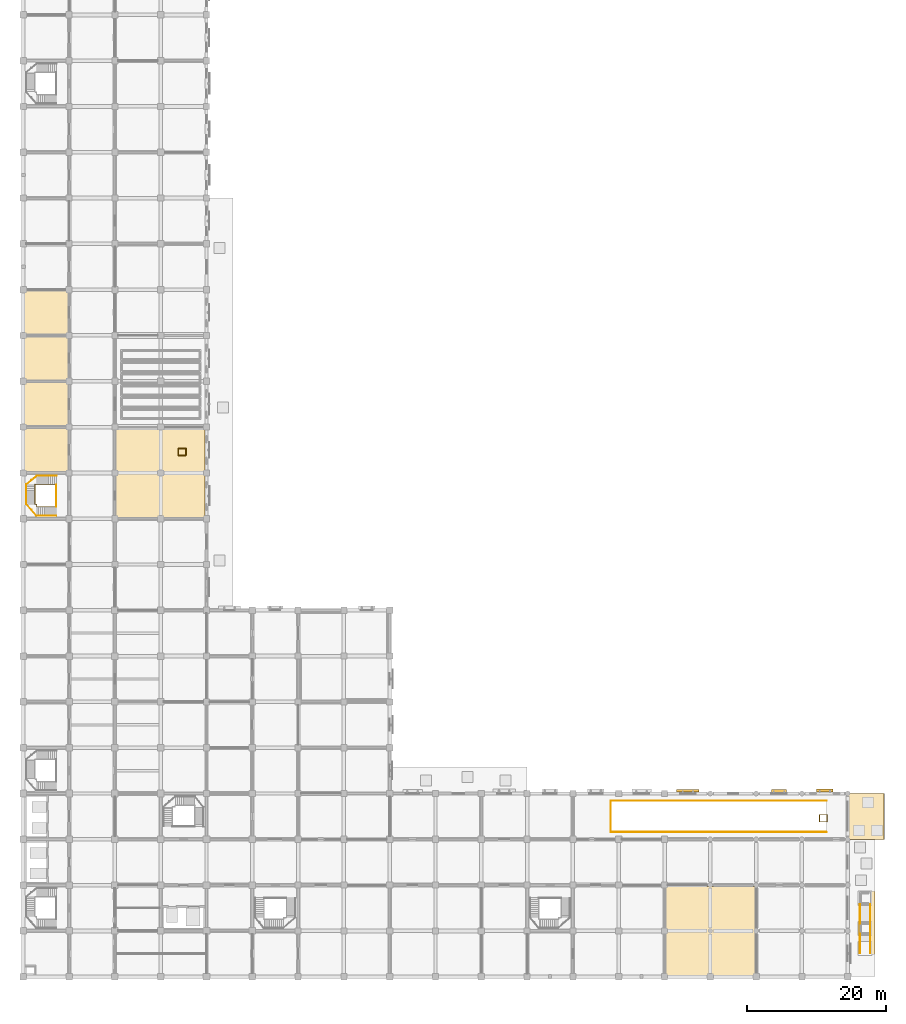
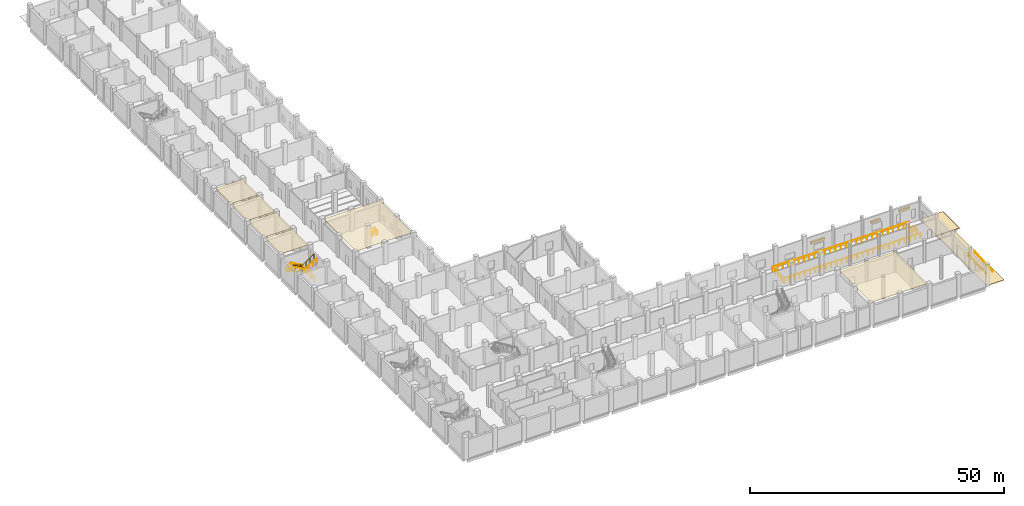
# One storey, part 26 of 28: 8 coverings, 8 railings, 3 shading devices.
"""IFC4 building model written with IfcOpenShell, lengths in metres."""

from ifc_helpers import new_model, si_unit, direction, frame, origin, origin_2d, place, context, subcontext, project, spatial, polyline, rectangle, circle, outline, extrude, material, layer, layer_set, type_object, element, save


model = new_model("IFC4")

# Units and contexts
model_context = context("Model", 3, precision=1e-05, world=origin(), true_north=direction((0.0, 1.0)))
body_context = subcontext(model_context, "Body", "Model", "MODEL_VIEW")
ifc_project = project(units=[si_unit("LENGTHUNIT", "METRE"), si_unit("AREAUNIT", "SQUARE_METRE"), si_unit("VOLUMEUNIT", "CUBIC_METRE"), si_unit("PLANEANGLEUNIT", "RADIAN"), si_unit("MASSUNIT", "GRAM", prefix="KILO")], contexts=[model_context])

# Site, building, storey
site_placement = place(None, origin())
site = spatial("IfcSite", under=ifc_project, at=site_placement, CompositionType="ELEMENT")
building_placement = place(site_placement, origin())
building = spatial("IfcBuilding", under=site, at=building_placement, Name="Rusizi Kubbe Research Institute", CompositionType="ELEMENT")
storey_placement = place(building_placement, origin())
storey = spatial("IfcBuildingStorey", under=building, at=storey_placement, Name="L00", CompositionType="ELEMENT", Elevation=0.0)

# Coverings
ifc_material_1 = material(Name="Mineral-Fibre Acoustic Laboratory Ceiling", Category="masonry")
ifc_layer_1 = layer(ifc_material_1, 0.0400390625)
ifc_layer_set_1 = layer_set([ifc_layer_1], Name="Mineral-Fibre Acoustic Laboratory Ceiling")
covering_type_1 = type_object("IfcCoveringType", Name="CL-ACOUSTIC", PredefinedType="CEILING", material=ifc_layer_set_1)
covering_1_placement = place(storey_placement, frame((0.0, 0.0, 5.010009765625)))
element("IfcCovering", 1, at=covering_1_placement, inside=storey, type_object=covering_type_1, Name="Write-up Office Ceiling L00-NW-05", PredefinedType="CEILING", context=body_context, shape_type="SweptSolid", body=[
    extrude(outline(polyline([(13.389892578125, 66.18994140625), (26.2099609375, 66.18994140625), (26.2099609375, 79.010009765625), (13.389892578125, 79.010009765625), (13.389892578125, 66.18994140625)])), origin(), (0.0, 0.0, 1.0), 0.0400390625),
])
covering_2_placement = place(storey_placement, frame((0.0, 0.0, 5.010009765625)))
element("IfcCovering", 2, at=covering_2_placement, inside=storey, type_object=covering_type_1, Name="Catalysis Wet Laboratory Ceiling L00-EWS-05", PredefinedType="CEILING", context=body_context, shape_type="SweptSolid", body=[
    extrude(outline(polyline([(92.590087890625, 0.18994140625), (105.409912109375, 0.18994140625), (105.409912109375, 13.010009765625), (92.590087890625, 13.010009765625), (92.590087890625, 0.18994140625)])), origin(), (0.0, 0.0, 1.0), 0.0400390625),
])
ifc_material_2 = material(Name="Flush Cleanroom Aluminium HEPA Ceiling Grid", Category="aluminium")
ifc_layer_2 = layer(ifc_material_2, 0.044921875)
ifc_layer_set_2 = layer_set([ifc_layer_2], Name="Flush Cleanroom Aluminium HEPA Ceiling Grid")
covering_type_2 = type_object("IfcCoveringType", Name="CL-HEPA", PredefinedType="CEILING", material=ifc_layer_set_2)
covering_3_placement = place(storey_placement, frame((0.0, 0.0, 5.0048828125)))
element("IfcCovering", 3, at=covering_3_placement, inside=storey, type_object=covering_type_2, Name="Clean Room Gowning Airlock Ceiling L00-ALK-11", PredefinedType="CEILING", context=body_context, shape_type="SweptSolid", body=[
    extrude(outline(polyline([(0.18994140625, 72.7900390625), (6.409912109375, 72.7900390625), (6.409912109375, 79.010009765625), (0.18994140625, 79.010009765625), (0.18994140625, 72.7900390625)])), origin(), (0.0, 0.0, 1.0), 0.045166015625),
])
covering_4_placement = place(storey_placement, frame((0.0, 0.0, 5.0048828125)))
element("IfcCovering", 4, at=covering_4_placement, inside=storey, type_object=covering_type_2, Name="ISO-6 Clean Room Suite Ceiling L00-CR-12", PredefinedType="CEILING", context=body_context, shape_type="SweptSolid", body=[
    extrude(outline(polyline([(0.18994140625, 79.389892578125), (6.409912109375, 79.389892578125), (6.409912109375, 85.610107421875), (0.18994140625, 85.610107421875), (0.18994140625, 79.389892578125)])), origin(), (0.0, 0.0, 1.0), 0.045166015625),
])
covering_5_placement = place(storey_placement, frame((0.0, 0.0, 5.0048828125)))
element("IfcCovering", 5, at=covering_5_placement, inside=storey, type_object=covering_type_2, Name="Clean Room Gowning Airlock Ceiling L00-ALK-13", PredefinedType="CEILING", context=body_context, shape_type="SweptSolid", body=[
    extrude(outline(polyline([(0.18994140625, 85.989990234375), (6.409912109375, 85.989990234375), (6.409912109375, 92.2099609375), (0.18994140625, 92.2099609375), (0.18994140625, 85.989990234375)])), origin(), (0.0, 0.0, 1.0), 0.045166015625),
])
covering_6_placement = place(storey_placement, frame((0.0, 0.0, 5.0048828125)))
element("IfcCovering", 6, at=covering_6_placement, inside=storey, type_object=covering_type_2, Name="ISO-6 Clean Room Suite Ceiling L00-CR-14", PredefinedType="CEILING", context=body_context, shape_type="SweptSolid", body=[
    extrude(outline(polyline([(0.18994140625, 92.590087890625), (6.409912109375, 92.590087890625), (6.409912109375, 98.81005859375), (0.18994140625, 98.81005859375), (0.18994140625, 92.590087890625)])), origin(), (0.0, 0.0, 1.0), 0.045166015625),
])
ifc_material_3 = material(Name="Rwandan Basalt Cobble Paving", Category="masonry")
ifc_layer_3 = layer(ifc_material_3, 0.02001953125)
ifc_layer_set_3 = layer_set([ifc_layer_3], Name="Rwandan Basalt Cobble Paving")
covering_type_3 = type_object("IfcCoveringType", Name="COV-PAVING", PredefinedType="FLOORING", material=ifc_layer_set_3)
covering_7_placement = place(storey_placement, origin())
element("IfcCovering", 7, at=covering_7_placement, inside=storey, type_object=covering_type_3, Name="Site Forecourt Access Paving EAST-STREET", PredefinedType="FLOORING", context=body_context, shape_type="SweptSolid", body=[
    extrude(outline(polyline([(118.800048828125, 19.800048828125), (122.699951171875, 19.800048828125), (122.699951171875, 0.0), (118.800048828125, 0.0), (118.800048828125, 19.800048828125)])), origin(), (0.0, 0.0, 1.0), 0.02001953125),
])
covering_8_placement = place(storey_placement, origin())
element("IfcCovering", 8, at=covering_8_placement, inside=storey, type_object=covering_type_3, Name="Site Forecourt Access Paving VEH-DRIVEWAY", PredefinedType="FLOORING", context=body_context, shape_type="SweptSolid", body=[
    extrude(outline(polyline([(118.800048828125, 19.800048828125), (118.800048828125, 26.39990234375), (124.0, 26.39990234375), (124.0, 19.800048828125), (118.800048828125, 19.800048828125)])), origin(), (0.0, 0.0, 1.0), 0.02001953125),
])

# Railings
ifc_material_4 = material(Name="Painted Steel Stair Guard", Category="steel")
railing_type_1 = type_object("IfcRailingType", Name="GR-STAIR", PredefinedType="GUARDRAIL", material=ifc_material_4)
railing_1_placement = place(storey_placement, frame((4.780029296875, 70.889892578125, 0.081787109375)))
element("IfcRailing", 9, at=railing_1_placement, inside=storey, type_object=railing_type_1, Name="Stair Inner Well Guard ST5 L00", PredefinedType="GUARDRAIL", context=body_context, shape_type="SweptSolid", body=[
    extrude(circle(Radius=0.02392578125, at=origin_2d()), frame((0.0, 0.0, 1.09619140625), z_axis=(-0.855598663518, 0.0, 0.517639765653), x_axis=(0.0, -1.0, 0.0)), (0.0, 0.0, 1.0), 3.3193359375),
    extrude(circle(Radius=0.02392578125, at=origin_2d()), frame((-2.840087890625, 0.0, 2.814453125), z_axis=(-1.0, 0.0, 0.0), x_axis=(0.0, -1.0, 0.0)), (0.0, 0.0, 1.0), 0.22998046875),
    extrude(circle(Radius=0.02392578125, at=origin_2d()), frame((-3.070068359375, 0.0, 2.814453125), z_axis=(0.0, 0.439690925609, 0.898149146822), x_axis=(-1.0, 0.0, 0.0)), (0.0, 0.0, 1.0), 0.091064453125),
    extrude(circle(Radius=0.02392578125, at=origin_2d()), frame((-3.070068359375, 0.0400390625, 2.89599609375), z_axis=(0.0, -0.85231595241, 0.523027262452), x_axis=(1.0, 0.0, 0.0)), (0.0, 0.0, 1.0), 3.28515625),
    extrude(circle(Radius=0.02392578125, at=origin_2d()), frame((-3.070068359375, -2.760009765625, 4.6142578125), z_axis=(0.0, -1.0, 0.0), x_axis=(1.0, 0.0, 0.0)), (0.0, 0.0, 1.0), 0.039794921875),
    extrude(circle(Radius=0.02392578125, at=origin_2d()), frame((-3.070068359375, -2.7998046875, 4.6142578125), z_axis=(1.0, 0.0, 0.0), x_axis=(0.0, 1.0, 0.0)), (0.0, 0.0, 1.0), 0.22998046875),
    extrude(circle(Radius=0.02392578125, at=origin_2d()), frame((-2.840087890625, -2.7998046875, 4.6142578125), z_axis=(0.0, -1.0, 0.0), x_axis=(1.0, 0.0, 0.0)), (0.0, 0.0, 1.0), 0.380126953125),
    extrude(circle(Radius=0.02392578125, at=origin_2d()), frame((-2.840087890625, -3.179931640625, 4.6142578125), z_axis=(0.837638602289, 0.0, 0.546224836451), x_axis=(0.0, 1.0, 0.0)), (0.0, 0.0, 1.0), 3.294921875),
    extrude(circle(Radius=0.02099609375, at=origin_2d()), origin(), (0.0, 0.0, 1.0), 1.072021484375),
    extrude(circle(Radius=0.02099609375, at=origin_2d()), frame((-0.94677734375, 0.0, 0.57275390625)), (0.0, 0.0, 1.0), 1.072021484375),
    extrude(circle(Radius=0.02099609375, at=origin_2d()), frame((-1.893310546875, 0.0, 1.1455078125)), (0.0, 0.0, 1.0), 1.072021484375),
    extrude(circle(Radius=0.02099609375, at=origin_2d()), frame((-2.840087890625, 0.0, 1.71826171875)), (0.0, 0.0, 1.0), 1.072021484375),
    extrude(circle(Radius=0.02099609375, at=origin_2d()), frame((-3.070068359375, 0.0, 1.71826171875)), (0.0, 0.0, 1.0), 1.072021484375),
    extrude(circle(Radius=0.02099609375, at=origin_2d()), frame((-3.070068359375, 0.0400390625, 1.800048828125)), (0.0, 0.0, 1.0), 1.072021484375),
    extrude(circle(Radius=0.02099609375, at=origin_2d()), frame((-3.070068359375, -0.893310546875, 2.372802734375)), (0.0, 0.0, 1.0), 1.072021484375),
    extrude(circle(Radius=0.02099609375, at=origin_2d()), frame((-3.070068359375, -1.82666015625, 2.945556640625)), (0.0, 0.0, 1.0), 1.072021484375),
    extrude(circle(Radius=0.02099609375, at=origin_2d()), frame((-3.070068359375, -2.760009765625, 3.518310546875)), (0.0, 0.0, 1.0), 1.072021484375),
    extrude(circle(Radius=0.02099609375, at=origin_2d()), frame((-3.070068359375, -2.7998046875, 3.518310546875)), (0.0, 0.0, 1.0), 1.072021484375),
    extrude(circle(Radius=0.02099609375, at=origin_2d()), frame((-2.840087890625, -2.7998046875, 3.518310546875)), (0.0, 0.0, 1.0), 1.072021484375),
    extrude(circle(Radius=0.02099609375, at=origin_2d()), frame((-2.840087890625, -3.179931640625, 3.518310546875)), (0.0, 0.0, 1.0), 1.072021484375),
    extrude(circle(Radius=0.02099609375, at=origin_2d()), frame((-1.920166015625, -3.179931640625, 4.1181640625)), (0.0, 0.0, 1.0), 1.072021484375),
    extrude(circle(Radius=0.02099609375, at=origin_2d()), frame((-1.0, -3.179931640625, 4.71826171875)), (0.0, 0.0, 1.0), 1.072021484375),
    extrude(circle(Radius=0.02099609375, at=origin_2d()), frame((-0.080078125, -3.179931640625, 5.318115234375)), (0.0, 0.0, 1.0), 1.072021484375),
])
railing_2_placement = place(storey_placement, frame((4.75, 70.889892578125, 0.0)))
element("IfcRailing", 10, at=railing_2_placement, inside=storey, type_object=railing_type_1, Name="Stair Floor Edge Guard ST5 L00", PredefinedType="GUARDRAIL", context=body_context, shape_type="SweptSolid", body=[
    extrude(circle(Radius=0.02392578125, at=origin_2d()), frame((0.0, 0.0, 1.09619140625), z_axis=(0.0, -1.0, 0.0), x_axis=(1.0, 0.0, 0.0)), (0.0, 0.0, 1.0), 3.179931640625),
    extrude(circle(Radius=0.02099609375, at=origin_2d()), origin(), (0.0, 0.0, 1.0), 1.072021484375),
    extrude(circle(Radius=0.02099609375, at=origin_2d()), frame((0.0, -1.06005859375, 0.0)), (0.0, 0.0, 1.0), 1.072021484375),
    extrude(circle(Radius=0.02099609375, at=origin_2d()), frame((0.0, -2.119873046875, 0.0)), (0.0, 0.0, 1.0), 1.072021484375),
    extrude(circle(Radius=0.02099609375, at=origin_2d()), frame((0.0, -3.179931640625, 0.0)), (0.0, 0.0, 1.0), 1.072021484375),
])
railing_3_placement = place(storey_placement, frame((22.320068359375, 75.1201171875, 0.0)))
element("IfcRailing", 11, at=railing_3_placement, inside=storey, type_object=railing_type_1, Name="Service Riser Guard L00 NORTHA", PredefinedType="GUARDRAIL", context=body_context, shape_type="SweptSolid", body=[
    extrude(circle(Radius=0.02392578125, at=origin_2d()), frame((0.0, 0.0, 1.09619140625), z_axis=(1.0, 0.0, 0.0), x_axis=(0.0, 1.0, 0.0)), (0.0, 0.0, 1.0), 1.10986328125),
    extrude(circle(Radius=0.02392578125, at=origin_2d()), frame((1.10986328125, 0.0, 1.09619140625), z_axis=(0.0, 1.0, 0.0), x_axis=(-1.0, 0.0, 0.0)), (0.0, 0.0, 1.0), 1.009765625),
    extrude(circle(Radius=0.02392578125, at=origin_2d()), frame((1.10986328125, 1.009765625, 1.09619140625), z_axis=(-1.0, 0.0, 0.0), x_axis=(0.0, -1.0, 0.0)), (0.0, 0.0, 1.0), 1.10986328125),
    extrude(circle(Radius=0.02392578125, at=origin_2d()), frame((0.0, 1.009765625, 1.09619140625), z_axis=(0.0, -1.0, 0.0), x_axis=(1.0, 0.0, 0.0)), (0.0, 0.0, 1.0), 1.009765625),
    extrude(circle(Radius=0.02099609375, at=origin_2d()), origin(), (0.0, 0.0, 1.0), 1.072021484375),
    extrude(circle(Radius=0.02099609375, at=origin_2d()), frame((1.10986328125, 0.0, 0.0)), (0.0, 0.0, 1.0), 1.072021484375),
    extrude(circle(Radius=0.02099609375, at=origin_2d()), frame((1.10986328125, 1.009765625, 0.0)), (0.0, 0.0, 1.0), 1.072021484375),
    extrude(circle(Radius=0.02099609375, at=origin_2d()), frame((0.0, 1.009765625, 0.0)), (0.0, 0.0, 1.0), 1.072021484375),
])
railing_4_placement = place(storey_placement, frame((114.719970703125, 22.320068359375, 0.0)))
element("IfcRailing", 12, at=railing_4_placement, inside=storey, type_object=railing_type_1, Name="Service Riser Guard L00 EAST", PredefinedType="GUARDRAIL", context=body_context, shape_type="SweptSolid", body=[
    extrude(circle(Radius=0.02392578125, at=origin_2d()), frame((0.0, 0.0, 1.09619140625), z_axis=(1.0, 0.0, 0.0), x_axis=(0.0, 1.0, 0.0)), (0.0, 0.0, 1.0), 1.110107421875),
    extrude(circle(Radius=0.02392578125, at=origin_2d()), frame((1.110107421875, 0.0, 1.09619140625), z_axis=(0.0, 1.0, 0.0), x_axis=(-1.0, 0.0, 0.0)), (0.0, 0.0, 1.0), 1.010009765625),
    extrude(circle(Radius=0.02392578125, at=origin_2d()), frame((1.110107421875, 1.010009765625, 1.09619140625), z_axis=(-1.0, 0.0, 0.0), x_axis=(0.0, -1.0, 0.0)), (0.0, 0.0, 1.0), 1.110107421875),
    extrude(circle(Radius=0.02392578125, at=origin_2d()), frame((0.0, 1.010009765625, 1.09619140625), z_axis=(0.0, -1.0, 0.0), x_axis=(1.0, 0.0, 0.0)), (0.0, 0.0, 1.0), 1.010009765625),
    extrude(circle(Radius=0.02099609375, at=origin_2d()), origin(), (0.0, 0.0, 1.0), 1.072021484375),
    extrude(circle(Radius=0.02099609375, at=origin_2d()), frame((1.110107421875, 0.0, 0.0)), (0.0, 0.0, 1.0), 1.072021484375),
    extrude(circle(Radius=0.02099609375, at=origin_2d()), frame((1.110107421875, 1.010009765625, 0.0)), (0.0, 0.0, 1.0), 1.072021484375),
    extrude(circle(Radius=0.02099609375, at=origin_2d()), frame((0.0, 1.010009765625, 0.0)), (0.0, 0.0, 1.0), 1.072021484375),
])
ifc_material_5 = material(Name="Tempered Glass and Bronze Atrium Balustrade", Category="steel")
railing_type_2 = type_object("IfcRailingType", Name="GR-VOID", PredefinedType="BALUSTRADE", material=ifc_material_5)
railing_5_placement = place(storey_placement, frame((115.719970703125, 20.840087890625, 0.0)))
element("IfcRailing", 13, at=railing_5_placement, inside=storey, type_object=railing_type_2, Name="Basement Vehicle Ramp Well Guard L00", PredefinedType="BALUSTRADE", context=body_context, shape_type="SweptSolid", body=[
    extrude(circle(Radius=0.02392578125, at=origin_2d()), frame((0.0, 0.0, 1.09619140625), z_axis=(-1.0, 0.0, 0.0), x_axis=(0.0, -1.0, 0.0)), (0.0, 0.0, 1.0), 31.080078125),
    extrude(circle(Radius=0.02392578125, at=origin_2d()), frame((-31.080078125, 0.0, 1.09619140625), z_axis=(0.0, 1.0, 0.0), x_axis=(-1.0, 0.0, 0.0)), (0.0, 0.0, 1.0), 4.52001953125),
    extrude(circle(Radius=0.02392578125, at=origin_2d()), frame((-31.080078125, 4.52001953125, 1.09619140625), z_axis=(1.0, 0.0, 0.0), x_axis=(0.0, 1.0, 0.0)), (0.0, 0.0, 1.0), 31.080078125),
    extrude(circle(Radius=0.02099609375, at=origin_2d()), origin(), (0.0, 0.0, 1.0), 1.072021484375),
    extrude(circle(Radius=0.02099609375, at=origin_2d()), frame((-1.1953125, 0.0, 0.0)), (0.0, 0.0, 1.0), 1.072021484375),
    extrude(circle(Radius=0.02099609375, at=origin_2d()), frame((-2.390869140625, 0.0, 0.0)), (0.0, 0.0, 1.0), 1.072021484375),
    extrude(circle(Radius=0.02099609375, at=origin_2d()), frame((-3.586181640625, 0.0, 0.0)), (0.0, 0.0, 1.0), 1.072021484375),
    extrude(circle(Radius=0.02099609375, at=origin_2d()), frame((-4.781494140625, 0.0, 0.0)), (0.0, 0.0, 1.0), 1.072021484375),
    extrude(circle(Radius=0.02099609375, at=origin_2d()), frame((-5.97705078125, 0.0, 0.0)), (0.0, 0.0, 1.0), 1.072021484375),
    extrude(circle(Radius=0.02099609375, at=origin_2d()), frame((-7.17236328125, 0.0, 0.0)), (0.0, 0.0, 1.0), 1.072021484375),
    extrude(circle(Radius=0.02099609375, at=origin_2d()), frame((-8.36767578125, 0.0, 0.0)), (0.0, 0.0, 1.0), 1.072021484375),
    extrude(circle(Radius=0.02099609375, at=origin_2d()), frame((-9.56298828125, 0.0, 0.0)), (0.0, 0.0, 1.0), 1.072021484375),
    extrude(circle(Radius=0.02099609375, at=origin_2d()), frame((-10.758544921875, 0.0, 0.0)), (0.0, 0.0, 1.0), 1.072021484375),
    extrude(circle(Radius=0.02099609375, at=origin_2d()), frame((-11.953857421875, 0.0, 0.0)), (0.0, 0.0, 1.0), 1.072021484375),
    extrude(circle(Radius=0.02099609375, at=origin_2d()), frame((-13.149169921875, 0.0, 0.0)), (0.0, 0.0, 1.0), 1.072021484375),
    extrude(circle(Radius=0.02099609375, at=origin_2d()), frame((-14.3447265625, 0.0, 0.0)), (0.0, 0.0, 1.0), 1.072021484375),
    extrude(circle(Radius=0.02099609375, at=origin_2d()), frame((-15.5400390625, 0.0, 0.0)), (0.0, 0.0, 1.0), 1.072021484375),
    extrude(circle(Radius=0.02099609375, at=origin_2d()), frame((-16.7353515625, 0.0, 0.0)), (0.0, 0.0, 1.0), 1.072021484375),
    extrude(circle(Radius=0.02099609375, at=origin_2d()), frame((-17.930908203125, 0.0, 0.0)), (0.0, 0.0, 1.0), 1.072021484375),
    extrude(circle(Radius=0.02099609375, at=origin_2d()), frame((-19.126220703125, 0.0, 0.0)), (0.0, 0.0, 1.0), 1.072021484375),
    extrude(circle(Radius=0.02099609375, at=origin_2d()), frame((-20.321533203125, 0.0, 0.0)), (0.0, 0.0, 1.0), 1.072021484375),
    extrude(circle(Radius=0.02099609375, at=origin_2d()), frame((-21.51708984375, 0.0, 0.0)), (0.0, 0.0, 1.0), 1.072021484375),
    extrude(circle(Radius=0.02099609375, at=origin_2d()), frame((-22.71240234375, 0.0, 0.0)), (0.0, 0.0, 1.0), 1.072021484375),
    extrude(circle(Radius=0.02099609375, at=origin_2d()), frame((-23.90771484375, 0.0, 0.0)), (0.0, 0.0, 1.0), 1.072021484375),
    extrude(circle(Radius=0.02099609375, at=origin_2d()), frame((-25.10302734375, 0.0, 0.0)), (0.0, 0.0, 1.0), 1.072021484375),
    extrude(circle(Radius=0.02099609375, at=origin_2d()), frame((-26.298583984375, 0.0, 0.0)), (0.0, 0.0, 1.0), 1.072021484375),
    extrude(circle(Radius=0.02099609375, at=origin_2d()), frame((-27.493896484375, 0.0, 0.0)), (0.0, 0.0, 1.0), 1.072021484375),
    extrude(circle(Radius=0.02099609375, at=origin_2d()), frame((-28.689208984375, 0.0, 0.0)), (0.0, 0.0, 1.0), 1.072021484375),
    extrude(circle(Radius=0.02099609375, at=origin_2d()), frame((-29.884765625, 0.0, 0.0)), (0.0, 0.0, 1.0), 1.072021484375),
    extrude(circle(Radius=0.02099609375, at=origin_2d()), frame((-31.080078125, 0.0, 0.0)), (0.0, 0.0, 1.0), 1.072021484375),
    extrude(circle(Radius=0.02099609375, at=origin_2d()), frame((-31.080078125, 1.1298828125, 0.0)), (0.0, 0.0, 1.0), 1.072021484375),
    extrude(circle(Radius=0.02099609375, at=origin_2d()), frame((-31.080078125, 2.260009765625, 0.0)), (0.0, 0.0, 1.0), 1.072021484375),
    extrude(circle(Radius=0.02099609375, at=origin_2d()), frame((-31.080078125, 3.39013671875, 0.0)), (0.0, 0.0, 1.0), 1.072021484375),
    extrude(circle(Radius=0.02099609375, at=origin_2d()), frame((-31.080078125, 4.52001953125, 0.0)), (0.0, 0.0, 1.0), 1.072021484375),
    extrude(circle(Radius=0.02099609375, at=origin_2d()), frame((-29.884765625, 4.52001953125, 0.0)), (0.0, 0.0, 1.0), 1.072021484375),
    extrude(circle(Radius=0.02099609375, at=origin_2d()), frame((-28.689208984375, 4.52001953125, 0.0)), (0.0, 0.0, 1.0), 1.072021484375),
    extrude(circle(Radius=0.02099609375, at=origin_2d()), frame((-27.493896484375, 4.52001953125, 0.0)), (0.0, 0.0, 1.0), 1.072021484375),
    extrude(circle(Radius=0.02099609375, at=origin_2d()), frame((-26.298583984375, 4.52001953125, 0.0)), (0.0, 0.0, 1.0), 1.072021484375),
    extrude(circle(Radius=0.02099609375, at=origin_2d()), frame((-25.10302734375, 4.52001953125, 0.0)), (0.0, 0.0, 1.0), 1.072021484375),
    extrude(circle(Radius=0.02099609375, at=origin_2d()), frame((-23.90771484375, 4.52001953125, 0.0)), (0.0, 0.0, 1.0), 1.072021484375),
    extrude(circle(Radius=0.02099609375, at=origin_2d()), frame((-22.71240234375, 4.52001953125, 0.0)), (0.0, 0.0, 1.0), 1.072021484375),
    extrude(circle(Radius=0.02099609375, at=origin_2d()), frame((-21.51708984375, 4.52001953125, 0.0)), (0.0, 0.0, 1.0), 1.072021484375),
    extrude(circle(Radius=0.02099609375, at=origin_2d()), frame((-20.321533203125, 4.52001953125, 0.0)), (0.0, 0.0, 1.0), 1.072021484375),
    extrude(circle(Radius=0.02099609375, at=origin_2d()), frame((-19.126220703125, 4.52001953125, 0.0)), (0.0, 0.0, 1.0), 1.072021484375),
    extrude(circle(Radius=0.02099609375, at=origin_2d()), frame((-17.930908203125, 4.52001953125, 0.0)), (0.0, 0.0, 1.0), 1.072021484375),
    extrude(circle(Radius=0.02099609375, at=origin_2d()), frame((-16.7353515625, 4.52001953125, 0.0)), (0.0, 0.0, 1.0), 1.072021484375),
    extrude(circle(Radius=0.02099609375, at=origin_2d()), frame((-15.5400390625, 4.52001953125, 0.0)), (0.0, 0.0, 1.0), 1.072021484375),
    extrude(circle(Radius=0.02099609375, at=origin_2d()), frame((-14.3447265625, 4.52001953125, 0.0)), (0.0, 0.0, 1.0), 1.072021484375),
    extrude(circle(Radius=0.02099609375, at=origin_2d()), frame((-13.149169921875, 4.52001953125, 0.0)), (0.0, 0.0, 1.0), 1.072021484375),
    extrude(circle(Radius=0.02099609375, at=origin_2d()), frame((-11.953857421875, 4.52001953125, 0.0)), (0.0, 0.0, 1.0), 1.072021484375),
    extrude(circle(Radius=0.02099609375, at=origin_2d()), frame((-10.758544921875, 4.52001953125, 0.0)), (0.0, 0.0, 1.0), 1.072021484375),
    extrude(circle(Radius=0.02099609375, at=origin_2d()), frame((-9.56298828125, 4.52001953125, 0.0)), (0.0, 0.0, 1.0), 1.072021484375),
    extrude(circle(Radius=0.02099609375, at=origin_2d()), frame((-8.36767578125, 4.52001953125, 0.0)), (0.0, 0.0, 1.0), 1.072021484375),
    extrude(circle(Radius=0.02099609375, at=origin_2d()), frame((-7.17236328125, 4.52001953125, 0.0)), (0.0, 0.0, 1.0), 1.072021484375),
    extrude(circle(Radius=0.02099609375, at=origin_2d()), frame((-5.97705078125, 4.52001953125, 0.0)), (0.0, 0.0, 1.0), 1.072021484375),
    extrude(circle(Radius=0.02099609375, at=origin_2d()), frame((-4.781494140625, 4.52001953125, 0.0)), (0.0, 0.0, 1.0), 1.072021484375),
    extrude(circle(Radius=0.02099609375, at=origin_2d()), frame((-3.586181640625, 4.52001953125, 0.0)), (0.0, 0.0, 1.0), 1.072021484375),
    extrude(circle(Radius=0.02099609375, at=origin_2d()), frame((-2.390869140625, 4.52001953125, 0.0)), (0.0, 0.0, 1.0), 1.072021484375),
    extrude(circle(Radius=0.02099609375, at=origin_2d()), frame((-1.1953125, 4.52001953125, 0.0)), (0.0, 0.0, 1.0), 1.072021484375),
    extrude(circle(Radius=0.02099609375, at=origin_2d()), frame((0.0, 4.52001953125, 0.0)), (0.0, 0.0, 1.0), 1.072021484375),
])
ifc_material_6 = material(Name="Brushed Stainless Steel Handrail", Category="steel")
railing_type_3 = type_object("IfcRailingType", Name="HR-RAMP", PredefinedType="HANDRAIL", material=ifc_material_6)
for number, where, name in (
    (14, (120.56005859375, 3.39990234375, -0.419921875), "Ramp Handrail RAMP-EAST-01-A"),
    (15, (122.0400390625, 3.39990234375, -0.419921875), "Ramp Handrail RAMP-EAST-01-B"),
):
    element("IfcRailing", number, at=place(storey_placement, frame(where)), inside=storey, type_object=railing_type_3, Name=name, PredefinedType="HANDRAIL", context=body_context, shape_type="SweptSolid", body=[
        extrude(circle(Radius=0.02392578125, at=origin_2d()), frame((0.0, 0.0, 0.8759765625), z_axis=(0.0, 0.998205511447, 0.05988119), x_axis=(-1.0, 0.0, 0.0)), (0.0, 0.0, 1.0), 7.0126953125),
        extrude(circle(Radius=0.02099609375, at=origin_2d()), origin(), (0.0, 0.0, 1.0), 0.851806640625),
        extrude(circle(Radius=0.02099609375, at=origin_2d()), frame((0.0, 1.166748046875, 0.070068359375)), (0.0, 0.0, 1.0), 0.851806640625),
        extrude(circle(Radius=0.02099609375, at=origin_2d()), frame((0.0, 2.333251953125, 0.139892578125)), (0.0, 0.0, 1.0), 0.851806640625),
        extrude(circle(Radius=0.02099609375, at=origin_2d()), frame((0.0, 3.5, 0.2099609375)), (0.0, 0.0, 1.0), 0.851806640625),
        extrude(circle(Radius=0.02099609375, at=origin_2d()), frame((0.0, 4.666748046875, 0.280029296875)), (0.0, 0.0, 1.0), 0.851806640625),
        extrude(circle(Radius=0.02099609375, at=origin_2d()), frame((0.0, 5.833251953125, 0.349853515625)), (0.0, 0.0, 1.0), 0.851806640625),
        extrude(circle(Radius=0.02099609375, at=origin_2d()), frame((0.0, 7.0, 0.419921875)), (0.0, 0.0, 1.0), 0.851806640625),
    ])
ifc_material_7 = material(Name="Brushed Stainless Steel Handrail", Category="steel")
railing_type_4 = type_object("IfcRailingType", Name="HR-STAIR", PredefinedType="HANDRAIL", material=ifc_material_7)
railing_6_placement = place(storey_placement, frame((4.780029296875, 72.179931640625, 0.16357421875)))
element("IfcRailing", 16, at=railing_6_placement, inside=storey, type_object=railing_type_4, Name="Stair Wall Handrail ST5 L00", PredefinedType="HANDRAIL", context=body_context, shape_type="SweptSolid", body=[
    extrude(circle(Radius=0.02392578125, at=origin_2d()), frame((0.0, 0.0, 0.8759765625), z_axis=(-0.863360870873, 0.0, 0.504586966384), x_axis=(0.0, -1.0, 0.0)), (0.0, 0.0, 1.0), 3.2431640625),
    extrude(circle(Radius=0.02392578125, at=origin_2d()), frame((-2.800048828125, 0.0, 2.51220703125), z_axis=(-0.777792534669, -0.623207789907, 0.081552581882), x_axis=(0.625290607566, -0.78039198874, 0.0)), (0.0, 0.0, 1.0), 2.005859375),
    extrude(circle(Radius=0.02392578125, at=origin_2d()), frame((-4.360107421875, -1.25, 2.67578125), z_axis=(0.0, -0.863360870873, 0.504586966384), x_axis=(1.0, 0.0, 0.0)), (0.0, 0.0, 1.0), 3.2431640625),
    extrude(circle(Radius=0.02392578125, at=origin_2d()), frame((-4.360107421875, -4.050048828125, 4.3125), z_axis=(0.65426471018, -0.752828984738, 0.072015336918), x_axis=(0.754788775087, 0.655967914614, 0.0)), (0.0, 0.0, 1.0), 2.271484375),
    extrude(circle(Radius=0.02392578125, at=origin_2d()), frame((-2.8740234375, -5.760009765625, 4.47607421875), z_axis=(0.86291342459, 0.0, 0.505351780112), x_axis=(0.0, 1.0, 0.0)), (0.0, 0.0, 1.0), 3.23779296875),
    extrude(circle(Radius=0.02099609375, at=origin_2d()), origin(), (0.0, 0.0, 1.0), 0.851806640625),
    extrude(circle(Radius=0.02099609375, at=origin_2d()), frame((-0.933349609375, 0.0, 0.54541015625)), (0.0, 0.0, 1.0), 0.851806640625),
    extrude(circle(Radius=0.02099609375, at=origin_2d()), frame((-1.86669921875, 0.0, 1.091064453125)), (0.0, 0.0, 1.0), 0.851806640625),
    extrude(circle(Radius=0.02099609375, at=origin_2d()), frame((-2.800048828125, 0.0, 1.636474609375)), (0.0, 0.0, 1.0), 0.851806640625),
    extrude(circle(Radius=0.02099609375, at=origin_2d()), frame((-3.580078125, -0.625, 1.71826171875)), (0.0, 0.0, 1.0), 0.851806640625),
    extrude(circle(Radius=0.02099609375, at=origin_2d()), frame((-4.360107421875, -1.25, 1.800048828125)), (0.0, 0.0, 1.0), 0.851806640625),
    extrude(circle(Radius=0.02099609375, at=origin_2d()), frame((-4.360107421875, -2.183349609375, 2.345458984375)), (0.0, 0.0, 1.0), 0.851806640625),
    extrude(circle(Radius=0.02099609375, at=origin_2d()), frame((-4.360107421875, -3.11669921875, 2.89111328125)), (0.0, 0.0, 1.0), 0.851806640625),
    extrude(circle(Radius=0.02099609375, at=origin_2d()), frame((-4.360107421875, -4.050048828125, 3.4365234375)), (0.0, 0.0, 1.0), 0.851806640625),
    extrude(circle(Radius=0.02099609375, at=origin_2d()), frame((-3.6171875, -4.905029296875, 3.518310546875)), (0.0, 0.0, 1.0), 0.851806640625),
    extrude(circle(Radius=0.02099609375, at=origin_2d()), frame((-2.8740234375, -5.760009765625, 3.60009765625)), (0.0, 0.0, 1.0), 0.851806640625),
    extrude(circle(Radius=0.02099609375, at=origin_2d()), frame((-1.942626953125, -5.760009765625, 4.1455078125)), (0.0, 0.0, 1.0), 0.851806640625),
    extrude(circle(Radius=0.02099609375, at=origin_2d()), frame((-1.011474609375, -5.760009765625, 4.69091796875)), (0.0, 0.0, 1.0), 0.851806640625),
    extrude(circle(Radius=0.02099609375, at=origin_2d()), frame((-0.080078125, -5.760009765625, 5.236328125)), (0.0, 0.0, 1.0), 0.851806640625),
])

# Shading devices
ifc_material_8 = material(Name="Extruded Aluminium Solar Louver", Category="aluminium")
shading_device_type_1 = type_object("IfcShadingDeviceType", Name="SD-01", PredefinedType="SHUTTER", material=ifc_material_8)
shading_device_1_placement = place(storey_placement, frame((115.5, 26.840087890625, 2.909912109375), z_axis=(0.0, 0.0, 1.0), x_axis=(1.0, 0.0, 0.0)))
element("IfcShadingDevice", 17, at=shading_device_1_placement, inside=storey, type_object=shading_device_type_1, Name="Solar Shading Louver SD-01-012", PredefinedType="SHUTTER", context=body_context, shape_type="SweptSolid", body=[
    extrude(rectangle(XDim=2.39990234375, YDim=0.419921875, at=origin_2d()), origin(), (0.0, 0.0, 1.0), 0.60009765625),
])
ifc_material_9 = material(Name="Extruded Aluminium Solar Louver", Category="aluminium")
shading_device_type_2 = type_object("IfcShadingDeviceType", Name="SD-03", PredefinedType="SHUTTER", material=ifc_material_9)
shading_device_2_placement = place(storey_placement, frame((95.75, 26.797607421875, 2.28515625), z_axis=(0.0, 0.0, 1.0), x_axis=(1.0, 0.0, 0.0)))
element("IfcShadingDevice", 18, at=shading_device_2_placement, inside=storey, type_object=shading_device_type_2, Name="Solar Shading Louver SD-03-010", PredefinedType="SHUTTER", context=body_context, shape_type="SweptSolid", body=[
    extrude(rectangle(XDim=3.199951171875, YDim=0.419921875, at=origin_2d()), origin(), (0.0, 0.0, 1.0), 0.64990234375),
])
ifc_material_10 = material(Name="Extruded Aluminium Solar Louver", Category="aluminium")
shading_device_type_3 = type_object("IfcShadingDeviceType", Name="SD-04", PredefinedType="SHUTTER", material=ifc_material_10)
shading_device_3_placement = place(storey_placement, frame((108.89990234375, 26.782470703125, 2.55517578125), z_axis=(0.0, 0.0, 1.0), x_axis=(1.0, 0.0, 0.0)))
element("IfcShadingDevice", 19, at=shading_device_3_placement, inside=storey, type_object=shading_device_type_3, Name="Solar Shading Louver SD-04-011", PredefinedType="SHUTTER", context=body_context, shape_type="SweptSolid", body=[
    extrude(rectangle(XDim=2.199951171875, YDim=0.419921875, at=origin_2d()), origin(), (0.0, 0.0, 1.0), 0.550048828125),
])

save(model, "model.ifc")
